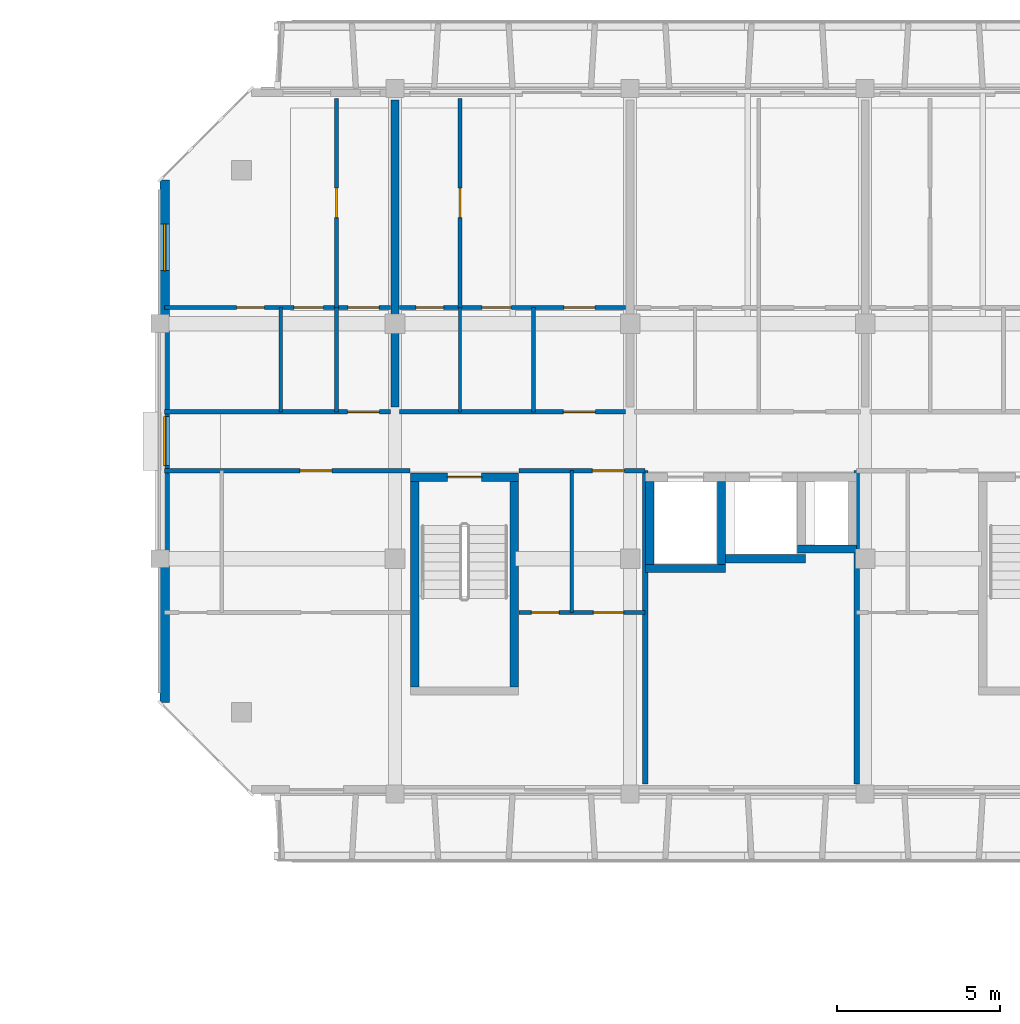
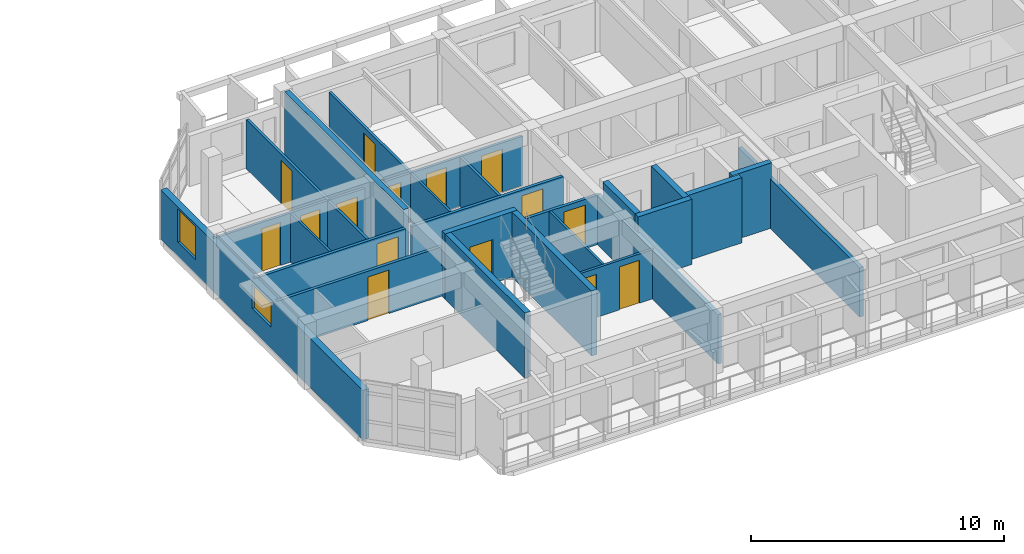
# One storey, part 33 of 51: 26 walls, 15 doors, 2 windows, 17 openings.
"""IFC4 building model written with IfcOpenShell, lengths in metres."""

from ifc_helpers import new_model, si_unit, direction, frame, frame_2d, origin, place, context, subcontext, project, spatial, rectangle, extrude, material, layer, layer_set, type_object, element, fill, save


model = new_model("IFC4")

# Units and contexts
model_context = context("Model", 3, precision=1e-05, world=origin(), true_north=direction((0.0, 1.0)))
body_context = subcontext(model_context, "Body", "Model", "MODEL_VIEW")
ifc_project = project(units=[si_unit("LENGTHUNIT", "METRE"), si_unit("AREAUNIT", "SQUARE_METRE"), si_unit("VOLUMEUNIT", "CUBIC_METRE"), si_unit("PLANEANGLEUNIT", "RADIAN"), si_unit("MASSUNIT", "GRAM", prefix="KILO")], contexts=[model_context])

# Site, building, storey
site_placement = place(None, origin())
site = spatial("IfcSite", under=ifc_project, at=site_placement, CompositionType="ELEMENT")
building_placement = place(site_placement, origin())
building = spatial("IfcBuilding", under=site, at=building_placement, Name="Ochrevale Crest", CompositionType="ELEMENT")
storey_placement = place(building_placement, frame((0.0, 0.0, 11.85009765625)))
storey = spatial("IfcBuildingStorey", under=building, at=storey_placement, Name="L03", CompositionType="ELEMENT", Elevation=11.85009765625)

# Wall, opening, door
ifc_material_1 = material(Name="Gypsum plasterboard", Category="gypsum")
ifc_layer_1 = layer(ifc_material_1, 0.139892578125)
ifc_layer_set_1 = layer_set([ifc_layer_1], Name="Gypsum plasterboard")
wall_type_1 = type_object("IfcWallType", Name="WL-COR-140", PredefinedType="PARTITIONING", material=ifc_layer_set_1)
wall_1_placement = place(storey_placement, frame((129.739990234375, 83.699951171875, 0.0), z_axis=(0.0, 0.0, 1.0), x_axis=(1.0, 0.0, 0.0)))
wall_1 = element("IfcWall", 1, at=wall_1_placement, inside=storey, type_object=wall_type_1, Name="Apartment D-L03-U1 corridor wall", PredefinedType="PARTITIONING", context=body_context, shape_type="SweptSolid", body=[
    extrude(rectangle(XDim=6.919921875, YDim=0.139892578125, at=frame_2d((3.4599609375, 0.0))), origin(), (0.0, 0.0, 1.0), 2.3798828125),
])
opening_1_placement = place(wall_1_placement, frame((6.5849609375, 0.0, 0.0), z_axis=(0.0, 0.0, 1.0), x_axis=(-1.0, 0.0, 0.0)))
opening_1 = element("IfcOpeningElement", 2, at=opening_1_placement, cuts=wall_1, Name="Opening FD01", PredefinedType="OPENING", context=body_context, shape_type="SweptSolid", body=[
    extrude(rectangle(XDim=0.97998046875, YDim=2.10009765625, at=frame_2d((0.489990234375, 1.050048828125))), frame((0.0, 0.080078125, 0.0), z_axis=(0.0, -1.0, 0.0), x_axis=(1.0, 0.0, 0.0)), (0.0, 0.0, 1.0), 0.159912109375),
])
ifc_material_2 = material(Name="Solid-core FSC hardwood", Category="wood")
door_type_1 = type_object("IfcDoorType", Name="DR-APT-950", OperationType="NOTDEFINED", PredefinedType="DOOR", material=ifc_material_2)
door_1_placement = place(opening_1_placement, origin())
door_1 = element("IfcDoor", 3, at=door_1_placement, inside=storey, type_object=door_type_1, Name="Apartment D-L03-U1 entrance door", OperationType="SINGLE_SWING_RIGHT", OverallHeight=2.10009765625, OverallWidth=0.97998046875, PredefinedType="DOOR", context=body_context, shape_type="SweptSolid", body=[
    extrude(rectangle(XDim=0.97998046875, YDim=2.10009765625, at=frame_2d((0.489990234375, 1.050048828125))), frame((0.0, 0.02490234375, 0.0), z_axis=(0.0, -1.0, 0.0), x_axis=(1.0, 0.0, 0.0)), (0.0, 0.0, 1.0), 0.050048828125),
])
fill(opening_1, door_1)

wall_2_placement = place(storey_placement, frame((136.93994140625, 83.699951171875, 0.0), z_axis=(0.0, 0.0, 1.0), x_axis=(1.0, 0.0, 0.0)))
wall_2 = element("IfcWall", 4, at=wall_2_placement, inside=storey, type_object=wall_type_1, Name="Apartment D-L03-U2 corridor wall", PredefinedType="PARTITIONING", context=body_context, shape_type="SweptSolid", body=[
    extrude(rectangle(XDim=6.920166015625, YDim=0.139892578125, at=frame_2d((3.4599609375, 0.0))), origin(), (0.0, 0.0, 1.0), 2.3798828125),
])
opening_2_placement = place(wall_2_placement, frame((5.02001953125, 0.0, 0.0)))
opening_2 = element("IfcOpeningElement", 5, at=opening_2_placement, cuts=wall_2, Name="Opening FD01", PredefinedType="OPENING", context=body_context, shape_type="SweptSolid", body=[
    extrude(rectangle(XDim=0.97998046875, YDim=2.10009765625, at=frame_2d((0.489990234375, 1.050048828125))), frame((0.0, 0.080078125, 0.0), z_axis=(0.0, -1.0, 0.0), x_axis=(1.0, 0.0, 0.0)), (0.0, 0.0, 1.0), 0.159912109375),
])
door_2_placement = place(opening_2_placement, origin())
door_2 = element("IfcDoor", 6, at=door_2_placement, inside=storey, type_object=door_type_1, Name="Apartment D-L03-U2 entrance door", OperationType="SINGLE_SWING_LEFT", OverallHeight=2.10009765625, OverallWidth=0.97998046875, PredefinedType="DOOR", context=body_context, shape_type="SweptSolid", body=[
    extrude(rectangle(XDim=0.97998046875, YDim=2.10009765625, at=frame_2d((0.489990234375, 1.050048828125))), frame((0.0, 0.02490234375, 0.0), z_axis=(0.0, -1.0, 0.0), x_axis=(1.0, 0.0, 0.0)), (0.0, 0.0, 1.0), 0.050048828125),
])
fill(opening_2, door_2)

wall_3_placement = place(storey_placement, frame((129.739990234375, 81.89990234375, 0.0), z_axis=(0.0, 0.0, 1.0), x_axis=(1.0, 0.0, 0.0)))
wall_3 = element("IfcWall", 7, at=wall_3_placement, inside=storey, type_object=wall_type_1, Name="Suite D-L03-CW corridor wall", PredefinedType="PARTITIONING", context=body_context, shape_type="SweptSolid", body=[
    extrude(rectangle(XDim=7.52001953125, YDim=0.139892578125, at=frame_2d((3.760009765625, 0.0))), origin(), (0.0, 0.0, 1.0), 2.3798828125),
])
opening_3_placement = place(wall_3_placement, frame((4.14501953125, 0.0, 0.0)))
opening_3 = element("IfcOpeningElement", 8, at=opening_3_placement, cuts=wall_3, Name="Opening FD01", PredefinedType="OPENING", context=body_context, shape_type="SweptSolid", body=[
    extrude(rectangle(XDim=0.97998046875, YDim=2.10009765625, at=frame_2d((0.489990234375, 1.050048828125))), frame((0.0, 0.080078125, 0.0), z_axis=(0.0, -1.0, 0.0), x_axis=(1.0, 0.0, 0.0)), (0.0, 0.0, 1.0), 0.159912109375),
])
door_3_placement = place(opening_3_placement, origin())
door_3 = element("IfcDoor", 9, at=door_3_placement, inside=storey, type_object=door_type_1, Name="Suite D-L03-CW entrance door", OperationType="SINGLE_SWING_LEFT", OverallHeight=2.10009765625, OverallWidth=0.97998046875, PredefinedType="DOOR", context=body_context, shape_type="SweptSolid", body=[
    extrude(rectangle(XDim=0.97998046875, YDim=2.10009765625, at=frame_2d((0.489990234375, 1.050048828125))), frame((0.0, 0.02490234375, 0.0), z_axis=(0.0, -1.0, 0.0), x_axis=(1.0, 0.0, 0.0)), (0.0, 0.0, 1.0), 0.050048828125),
])
fill(opening_3, door_3)

wall_4_placement = place(storey_placement, frame((140.590087890625, 81.89990234375, 0.0), z_axis=(0.0, 0.0, 1.0), x_axis=(1.0, 0.0, 0.0)))
wall_4 = element("IfcWall", 10, at=wall_4_placement, inside=storey, type_object=wall_type_1, Name="Suite D-L03-MW corridor wall", PredefinedType="PARTITIONING", context=body_context, shape_type="SweptSolid", body=[
    extrude(rectangle(XDim=3.869873046875, YDim=0.139892578125, at=frame_2d((1.93505859375, 0.0))), origin(), (0.0, 0.0, 1.0), 2.3798828125),
])
opening_4_placement = place(wall_4_placement, frame((3.23779296875, 0.0, 0.0), z_axis=(0.0, 0.0, 1.0), x_axis=(-1.0, 0.0, 0.0)))
opening_4 = element("IfcOpeningElement", 11, at=opening_4_placement, cuts=wall_4, Name="Opening FD01", PredefinedType="OPENING", context=body_context, shape_type="SweptSolid", body=[
    extrude(rectangle(XDim=0.97998046875, YDim=2.10009765625, at=frame_2d((0.489990234375, 1.050048828125))), frame((0.0, 0.080078125, 0.0), z_axis=(0.0, -1.0, 0.0), x_axis=(1.0, 0.0, 0.0)), (0.0, 0.0, 1.0), 0.159912109375),
])
door_4_placement = place(opening_4_placement, origin())
door_4 = element("IfcDoor", 12, at=door_4_placement, inside=storey, type_object=door_type_1, Name="Suite D-L03-MW entrance door", OperationType="SINGLE_SWING_RIGHT", OverallHeight=2.10009765625, OverallWidth=0.97998046875, PredefinedType="DOOR", context=body_context, shape_type="SweptSolid", body=[
    extrude(rectangle(XDim=0.97998046875, YDim=2.10009765625, at=frame_2d((0.489990234375, 1.050048828125))), frame((0.0, 0.02490234375, 0.0), z_axis=(0.0, -1.0, 0.0), x_axis=(1.0, 0.0, 0.0)), (0.0, 0.0, 1.0), 0.050048828125),
])
fill(opening_4, door_4)

ifc_material_3 = material(Name="Precast concrete C50/60", Category="concrete")
ifc_layer_2 = layer(ifc_material_3, 0.2548828125)
ifc_layer_set_2 = layer_set([ifc_layer_2], Name="Precast concrete C50/60")
wall_type_2 = type_object("IfcWallType", Name="WL-CORE-255", PredefinedType="SHEAR", material=ifc_layer_set_2)
wall_5_placement = place(storey_placement, frame((137.2724609375, 81.699951171875, 0.0), z_axis=(0.0, 0.0, 1.0), x_axis=(1.0, 0.0, 0.0)))
wall_5 = element("IfcWall", 13, at=wall_5_placement, inside=storey, type_object=wall_type_2, Name="Block D L03 Stair 1 precast core shear wall N", PredefinedType="SHEAR", context=body_context, shape_type="SweptSolid", body=[
    extrude(rectangle(XDim=3.304931640625, YDim=0.2548828125, at=frame_2d((1.65234375, 0.0))), origin(), (0.0, 0.0, 1.0), 3.14990234375),
])
opening_5_placement = place(wall_5_placement, frame((2.177490234375, 0.0, 0.0), z_axis=(0.0, 0.0, 1.0), x_axis=(-1.0, 0.0, 0.0)))
opening_5 = element("IfcOpeningElement", 14, at=opening_5_placement, cuts=wall_5, Name="Opening FD03", PredefinedType="OPENING", context=body_context, shape_type="SweptSolid", body=[
    extrude(rectangle(XDim=1.050048828125, YDim=2.1201171875, at=frame_2d((0.52490234375, 1.06005859375))), frame((0.0, 0.137451171875, 0.0), z_axis=(0.0, -1.0, 0.0), x_axis=(1.0, 0.0, 0.0)), (0.0, 0.0, 1.0), 0.27490234375),
])
door_type_2 = type_object("IfcDoorType", Name="DR-ST-1050", OperationType="NOTDEFINED", PredefinedType="DOOR", material=ifc_material_2)
door_5_placement = place(opening_5_placement, origin())
door_5 = element("IfcDoor", 15, at=door_5_placement, inside=storey, type_object=door_type_2, Name="Block D L03 fire stair 1 door", OperationType="SINGLE_SWING_RIGHT", OverallHeight=2.1201171875, OverallWidth=1.050048828125, PredefinedType="DOOR", context=body_context, shape_type="SweptSolid", body=[
    extrude(rectangle(XDim=1.050048828125, YDim=2.1201171875, at=frame_2d((0.52490234375, 1.06005859375))), frame((0.0, 0.02490234375, 0.0), z_axis=(0.0, -1.0, 0.0), x_axis=(1.0, 0.0, 0.0)), (0.0, 0.0, 1.0), 0.050048828125),
])
fill(opening_5, door_5)

# Walls
for number, where, z_axis, x_axis, name in (
    (16, (137.39990234375, 75.277587890625, 0.0), (0.0, 0.0, 1.0), (0.0, 1.0, 0.0), "Block D L03 Stair 1 precast core shear wall W"),
    (17, (140.449951171875, 75.277587890625, 0.0), (0.0, 0.0, 1.0), (0.0, 1.0, 0.0), "Block D L03 Stair 1 precast core shear wall E"),
):
    element("IfcWall", number, at=place(storey_placement, frame(where, z_axis=z_axis, x_axis=x_axis)), inside=storey, type_object=wall_type_2, Name=name, PredefinedType="SHEAR", context=body_context, shape_type="SweptSolid", body=[
        extrude(rectangle(XDim=6.294921875, YDim=0.2548828125, at=frame_2d((3.1474609375, 0.0))), origin(), (0.0, 0.0, 1.0), 3.14990234375),
    ])
wall_6_placement = place(storey_placement, frame((144.472412109375, 78.89990234375, 0.0), z_axis=(0.0, 0.0, 1.0), x_axis=(1.0, 0.0, 0.0)))
element("IfcWall", 18, at=wall_6_placement, inside=storey, type_object=wall_type_2, Name="Block D L03 Lift 1 precast shaft shear wall S", PredefinedType="SHEAR", context=body_context, shape_type="SweptSolid", body=[
    extrude(rectangle(XDim=2.455078125, YDim=0.2548828125, at=frame_2d((1.2275390625, 0.0))), origin(), (0.0, 0.0, 1.0), 3.14990234375),
])
for number, where, z_axis, x_axis, name in (
    (19, (144.60009765625, 79.027587890625, 0.0), (0.0, 0.0, 1.0), (0.0, 1.0, 0.0), "Block D L03 Lift 1 precast shaft shear wall W"),
    (20, (146.800048828125, 79.027587890625, 0.0), (0.0, 0.0, 1.0), (0.0, 1.0, 0.0), "Block D L03 Lift 1 precast shaft shear wall E"),
):
    element("IfcWall", number, at=place(storey_placement, frame(where, z_axis=z_axis, x_axis=x_axis)), inside=storey, type_object=wall_type_2, Name=name, PredefinedType="SHEAR", context=body_context, shape_type="SweptSolid", body=[
        extrude(rectangle(XDim=2.544921875, YDim=0.2548828125, at=frame_2d((1.2724609375, 0.0))), origin(), (0.0, 0.0, 1.0), 3.14990234375),
    ])
wall_7_placement = place(storey_placement, frame((146.922607421875, 79.199951171875, 0.0), z_axis=(0.0, 0.0, 1.0), x_axis=(1.0, 0.0, 0.0)))
element("IfcWall", 21, at=wall_7_placement, inside=storey, type_object=wall_type_2, Name="Block D L03 Lift 2 precast shaft shear wall S", PredefinedType="SHEAR", context=body_context, shape_type="SweptSolid", body=[
    extrude(rectangle(XDim=2.454833984375, YDim=0.2548828125, at=frame_2d((1.2275390625, 0.0))), origin(), (0.0, 0.0, 1.0), 3.14990234375),
])
wall_8_placement = place(storey_placement, frame((149.12255859375, 79.5, 0.0), z_axis=(0.0, 0.0, 1.0), x_axis=(1.0, 0.0, 0.0)))
element("IfcWall", 22, at=wall_8_placement, inside=storey, type_object=wall_type_2, Name="Block D L03 services riser shaft core wall S", PredefinedType="SHEAR", context=body_context, shape_type="SweptSolid", body=[
    extrude(rectangle(XDim=1.804931640625, YDim=0.2548828125, at=frame_2d((0.90234375, 0.0))), origin(), (0.0, 0.0, 1.0), 3.14990234375),
])

# Wall, openings, windows
ifc_material_4 = material(Name="Clay face brickwork", Category="masonry")
ifc_layer_3 = layer(ifc_material_4, 0.2900390625)
ifc_layer_set_3 = layer_set([ifc_layer_3], Name="Clay face brickwork")
wall_type_3 = type_object("IfcWallType", Name="WL-EXT-BRICK-290", PredefinedType="SOLIDWALL", material=ifc_layer_set_3)
wall_9_placement = place(storey_placement, frame((129.7451171875, 90.800048828125, 0.0), z_axis=(0.0, 0.0, 1.0), x_axis=(0.0, -1.0, 0.0)))
wall_9 = element("IfcWall", 23, at=wall_9_placement, inside=storey, type_object=wall_type_3, Name="Block D L03 external facade wall E7", PredefinedType="SOLIDWALL", context=body_context, shape_type="SweptSolid", body=[
    extrude(rectangle(XDim=16.0, YDim=0.2900390625, at=frame_2d((8.0, 0.0))), origin(), (0.0, 0.0, 1.0), 2.3798828125),
])
opening_6_placement = place(wall_9_placement, frame((7.25, 0.0, 1.050048828125)))
opening_6 = element("IfcOpeningElement", 24, at=opening_6_placement, cuts=wall_9, Name="Opening W18", PredefinedType="OPENING", context=body_context, shape_type="SweptSolid", body=[
    extrude(rectangle(XDim=1.5, YDim=1.14990234375, at=frame_2d((0.75, 0.574951171875))), frame((0.0, 0.155029296875, 0.0), z_axis=(0.0, -1.0, 0.0), x_axis=(1.0, 0.0, 0.0)), (0.0, 0.0, 1.0), 0.31005859375),
])
opening_7_placement = place(wall_9_placement, frame((1.35498046875, 0.0, 0.669921875)))
opening_7 = element("IfcOpeningElement", 25, at=opening_7_placement, cuts=wall_9, Name="Opening W31", PredefinedType="OPENING", context=body_context, shape_type="SweptSolid", body=[
    extrude(rectangle(XDim=1.419921875, YDim=1.60009765625, at=frame_2d((0.7099609375, 0.800048828125))), frame((0.0, 0.155029296875, 0.0), z_axis=(0.0, -1.0, 0.0), x_axis=(1.0, 0.0, 0.0)), (0.0, 0.0, 1.0), 0.31005859375),
])
ifc_material_5 = material(Name="Anodised aluminium 6063-T5 and low-E double glazing", Category="aluminium")
window_type_1 = type_object("IfcWindowType", Name="WIN-W18", PartitioningType="SINGLE_PANEL", PredefinedType="WINDOW", material=ifc_material_5)
window_1_placement = place(opening_6_placement, origin())
window_1 = element("IfcWindow", 26, at=window_1_placement, inside=storey, type_object=window_type_1, Name="Block D L03 corridor end daylight window W", OverallHeight=1.14990234375, OverallWidth=1.5, PartitioningType="SINGLE_PANEL", PredefinedType="WINDOW", context=body_context, shape_type="SweptSolid", body=[
    extrude(rectangle(XDim=1.5, YDim=1.14990234375, at=frame_2d((0.75, 0.574951171875))), frame((0.0, 0.030029296875, 0.0), z_axis=(0.0, -1.0, 0.0), x_axis=(1.0, 0.0, 0.0)), (0.0, 0.0, 1.0), 0.06005859375),
])
fill(opening_6, window_1)
window_type_2 = type_object("IfcWindowType", Name="WIN-W31", PartitioningType="SINGLE_PANEL", PredefinedType="WINDOW", material=ifc_material_5)
window_2_placement = place(opening_7_placement, origin())
window_2 = element("IfcWindow", 27, at=window_2_placement, inside=storey, type_object=window_type_2, Name="Block D L03 side suite window W", OverallHeight=1.60009765625, OverallWidth=1.419921875, PartitioningType="SINGLE_PANEL", PredefinedType="WINDOW", context=body_context, shape_type="SweptSolid", body=[
    extrude(rectangle(XDim=1.419921875, YDim=1.60009765625, at=frame_2d((0.7099609375, 0.800048828125))), frame((0.0, 0.030029296875, 0.0), z_axis=(0.0, -1.0, 0.0), x_axis=(1.0, 0.0, 0.0)), (0.0, 0.0, 1.0), 0.06005859375),
])
fill(opening_7, window_2)

# Wall
ifc_layer_4 = layer(ifc_material_1, 0.1201171875)
ifc_layer_set_4 = layer_set([ifc_layer_4], Name="Gypsum plasterboard")
wall_type_4 = type_object("IfcWallType", Name="WL-PART-120", PredefinedType="PARTITIONING", material=ifc_layer_set_4)
wall_10_placement = place(storey_placement, frame((135.010009765625, 83.699951171875, 0.0), z_axis=(0.0, 0.0, 1.0), x_axis=(0.0, 1.0, 0.0)))
element("IfcWall", 28, at=wall_10_placement, inside=storey, type_object=wall_type_4, Name="Apartment D-L03-U1 kitchen-foyer wall", PredefinedType="PARTITIONING", context=body_context, shape_type="SweptSolid", body=[
    extrude(rectangle(XDim=3.199951171875, YDim=0.1201171875, at=frame_2d((1.60009765625, 0.0))), origin(), (0.0, 0.0, 1.0), 2.375),
])

# Wall, openings, doors
wall_11_placement = place(storey_placement, frame((129.739990234375, 86.89990234375, 0.0), z_axis=(0.0, 0.0, 1.0), x_axis=(1.0, 0.0, 0.0)))
wall_11 = element("IfcWall", 29, at=wall_11_placement, inside=storey, type_object=wall_type_4, Name="Apartment D-L03-U1 central partition", PredefinedType="PARTITIONING", context=body_context, shape_type="SweptSolid", body=[
    extrude(rectangle(XDim=6.919921875, YDim=0.1201171875, at=frame_2d((3.4599609375, 0.0))), origin(), (0.0, 0.0, 1.0), 2.3798828125),
])
opening_8_placement = place(wall_11_placement, frame((2.2099609375, 0.0, 0.0)))
opening_8 = element("IfcOpeningElement", 30, at=opening_8_placement, cuts=wall_11, Name="Opening ID01", PredefinedType="OPENING", context=body_context, shape_type="SweptSolid", body=[
    extrude(rectangle(XDim=0.85009765625, YDim=2.080078125, at=frame_2d((0.425048828125, 1.0400390625))), frame((0.0, 0.070068359375, 0.0), z_axis=(0.0, -1.0, 0.0), x_axis=(1.0, 0.0, 0.0)), (0.0, 0.0, 1.0), 0.14013671875),
])
opening_9_placement = place(wall_11_placement, frame((4.864990234375, 0.0, 0.0), z_axis=(0.0, 0.0, 1.0), x_axis=(-1.0, 0.0, 0.0)))
opening_9 = element("IfcOpeningElement", 31, at=opening_9_placement, cuts=wall_11, Name="Opening ID02", PredefinedType="OPENING", context=body_context, shape_type="SweptSolid", body=[
    extrude(rectangle(XDim=0.89990234375, YDim=2.080078125, at=frame_2d((0.449951171875, 1.0400390625))), frame((0.0, 0.070068359375, 0.0), z_axis=(0.0, -1.0, 0.0), x_axis=(1.0, 0.0, 0.0)), (0.0, 0.0, 1.0), 0.14013671875),
])
opening_10_placement = place(wall_11_placement, frame((5.6201171875, 0.0, 0.0)))
opening_10 = element("IfcOpeningElement", 32, at=opening_10_placement, cuts=wall_11, Name="Opening ID06", PredefinedType="OPENING", context=body_context, shape_type="SweptSolid", body=[
    extrude(rectangle(XDim=0.949951171875, YDim=2.080078125, at=frame_2d((0.47509765625, 1.0400390625))), frame((0.0, 0.070068359375, 0.0), z_axis=(0.0, -1.0, 0.0), x_axis=(1.0, 0.0, 0.0)), (0.0, 0.0, 1.0), 0.14013671875),
])
door_type_3 = type_object("IfcDoorType", Name="DR-INT-900", OperationType="NOTDEFINED", PredefinedType="DOOR", material=ifc_material_2)
door_6_placement = place(opening_9_placement, origin())
door_6 = element("IfcDoor", 33, at=door_6_placement, inside=storey, type_object=door_type_3, Name="Apartment D-L03-U1 Kitchen door", OperationType="SINGLE_SWING_RIGHT", OverallHeight=2.080078125, OverallWidth=0.89990234375, PredefinedType="DOOR", context=body_context, shape_type="SweptSolid", body=[
    extrude(rectangle(XDim=0.89990234375, YDim=2.080078125, at=frame_2d((0.449951171875, 1.0400390625))), frame((0.0, 0.02490234375, 0.0), z_axis=(0.0, -1.0, 0.0), x_axis=(1.0, 0.0, 0.0)), (0.0, 0.0, 1.0), 0.050048828125),
])
fill(opening_9, door_6)
door_type_4 = type_object("IfcDoorType", Name="DR-INT-950", OperationType="NOTDEFINED", PredefinedType="DOOR", material=ifc_material_2)
door_7_placement = place(opening_10_placement, origin())
door_7 = element("IfcDoor", 34, at=door_7_placement, inside=storey, type_object=door_type_4, Name="Apartment D-L03-U1 Living Foyer door", OperationType="SINGLE_SWING_LEFT", OverallHeight=2.080078125, OverallWidth=0.949951171875, PredefinedType="DOOR", context=body_context, shape_type="SweptSolid", body=[
    extrude(rectangle(XDim=0.949951171875, YDim=2.080078125, at=frame_2d((0.47509765625, 1.0400390625))), frame((0.0, 0.02490234375, 0.0), z_axis=(0.0, -1.0, 0.0), x_axis=(1.0, 0.0, 0.0)), (0.0, 0.0, 1.0), 0.050048828125),
])
fill(opening_10, door_7)
door_type_5 = type_object("IfcDoorType", Name="DR-WC-850", OperationType="NOTDEFINED", PredefinedType="DOOR", material=ifc_material_2)
door_8_placement = place(opening_8_placement, origin())
door_8 = element("IfcDoor", 35, at=door_8_placement, inside=storey, type_object=door_type_5, Name="Apartment D-L03-U1 Bathroom door", OperationType="SINGLE_SWING_LEFT", OverallHeight=2.080078125, OverallWidth=0.85009765625, PredefinedType="DOOR", context=body_context, shape_type="SweptSolid", body=[
    extrude(rectangle(XDim=0.85009765625, YDim=2.080078125, at=frame_2d((0.425048828125, 1.0400390625))), frame((0.0, 0.02490234375, 0.0), z_axis=(0.0, -1.0, 0.0), x_axis=(1.0, 0.0, 0.0)), (0.0, 0.0, 1.0), 0.050048828125),
])
fill(opening_8, door_8)

# Wall, opening, door
wall_12_placement = place(storey_placement, frame((135.010009765625, 86.89990234375, 0.0), z_axis=(0.0, 0.0, 1.0), x_axis=(0.0, 1.0, 0.0)))
wall_12 = element("IfcWall", 36, at=wall_12_placement, inside=storey, type_object=wall_type_4, Name="Apartment D-L03-U1 bedroom partition", PredefinedType="PARTITIONING", context=body_context, shape_type="SweptSolid", body=[
    extrude(rectangle(XDim=6.400146484375, YDim=0.1201171875, at=frame_2d((3.2001953125, 0.0))), origin(), (0.0, 0.0, 1.0), 2.3798828125),
])
opening_11_placement = place(wall_12_placement, frame((3.64990234375, 0.0, 0.0), z_axis=(0.0, 0.0, 1.0), x_axis=(-1.0, 0.0, 0.0)))
opening_11 = element("IfcOpeningElement", 37, at=opening_11_placement, cuts=wall_12, Name="Opening ID02", PredefinedType="OPENING", context=body_context, shape_type="SweptSolid", body=[
    extrude(rectangle(XDim=0.89990234375, YDim=2.080078125, at=frame_2d((0.449951171875, 1.0400390625))), frame((0.0, 0.070068359375, 0.0), z_axis=(0.0, -1.0, 0.0), x_axis=(1.0, 0.0, 0.0)), (0.0, 0.0, 1.0), 0.14013671875),
])
door_9_placement = place(opening_11_placement, origin())
door_9 = element("IfcDoor", 38, at=door_9_placement, inside=storey, type_object=door_type_3, Name="Apartment D-L03-U1 Master Bedroom door", OperationType="SINGLE_SWING_RIGHT", OverallHeight=2.080078125, OverallWidth=0.89990234375, PredefinedType="DOOR", context=body_context, shape_type="SweptSolid", body=[
    extrude(rectangle(XDim=0.89990234375, YDim=2.080078125, at=frame_2d((0.449951171875, 1.0400390625))), frame((0.0, 0.02490234375, 0.0), z_axis=(0.0, -1.0, 0.0), x_axis=(1.0, 0.0, 0.0)), (0.0, 0.0, 1.0), 0.050048828125),
])
fill(opening_11, door_9)

# Wall
wall_13_placement = place(storey_placement, frame((141.0400390625, 83.699951171875, 0.0), z_axis=(0.0, 0.0, 1.0), x_axis=(0.0, 1.0, 0.0)))
element("IfcWall", 39, at=wall_13_placement, inside=storey, type_object=wall_type_4, Name="Apartment D-L03-U2 kitchen-foyer wall", PredefinedType="PARTITIONING", context=body_context, shape_type="SweptSolid", body=[
    extrude(rectangle(XDim=3.199951171875, YDim=0.1201171875, at=frame_2d((1.60009765625, 0.0))), origin(), (0.0, 0.0, 1.0), 2.375),
])

# Wall, openings, doors
wall_14_placement = place(storey_placement, frame((136.93994140625, 86.89990234375, 0.0), z_axis=(0.0, 0.0, 1.0), x_axis=(1.0, 0.0, 0.0)))
wall_14 = element("IfcWall", 40, at=wall_14_placement, inside=storey, type_object=wall_type_4, Name="Apartment D-L03-U2 central partition", PredefinedType="PARTITIONING", context=body_context, shape_type="SweptSolid", body=[
    extrude(rectangle(XDim=6.920166015625, YDim=0.1201171875, at=frame_2d((3.4599609375, 0.0))), origin(), (0.0, 0.0, 1.0), 2.3798828125),
])
opening_12_placement = place(wall_14_placement, frame((1.35009765625, 0.0, 0.0), z_axis=(0.0, 0.0, 1.0), x_axis=(-1.0, 0.0, 0.0)))
opening_12 = element("IfcOpeningElement", 41, at=opening_12_placement, cuts=wall_14, Name="Opening ID01", PredefinedType="OPENING", context=body_context, shape_type="SweptSolid", body=[
    extrude(rectangle(XDim=0.85009765625, YDim=2.080078125, at=frame_2d((0.425048828125, 1.0400390625))), frame((0.0, 0.070068359375, 0.0), z_axis=(0.0, -1.0, 0.0), x_axis=(1.0, 0.0, 0.0)), (0.0, 0.0, 1.0), 0.14013671875),
])
opening_13_placement = place(wall_14_placement, frame((2.52490234375, 0.0, 0.0)))
opening_13 = element("IfcOpeningElement", 42, at=opening_13_placement, cuts=wall_14, Name="Opening ID02", PredefinedType="OPENING", context=body_context, shape_type="SweptSolid", body=[
    extrude(rectangle(XDim=0.89990234375, YDim=2.080078125, at=frame_2d((0.449951171875, 1.0400390625))), frame((0.0, 0.070068359375, 0.0), z_axis=(0.0, -1.0, 0.0), x_axis=(1.0, 0.0, 0.0)), (0.0, 0.0, 1.0), 0.14013671875),
])
opening_14_placement = place(wall_14_placement, frame((5.98486328125, 0.0, 0.0), z_axis=(0.0, 0.0, 1.0), x_axis=(-1.0, 0.0, 0.0)))
opening_14 = element("IfcOpeningElement", 43, at=opening_14_placement, cuts=wall_14, Name="Opening ID06", PredefinedType="OPENING", context=body_context, shape_type="SweptSolid", body=[
    extrude(rectangle(XDim=0.949951171875, YDim=2.080078125, at=frame_2d((0.47509765625, 1.0400390625))), frame((0.0, 0.070068359375, 0.0), z_axis=(0.0, -1.0, 0.0), x_axis=(1.0, 0.0, 0.0)), (0.0, 0.0, 1.0), 0.14013671875),
])
door_10_placement = place(opening_13_placement, origin())
door_10 = element("IfcDoor", 44, at=door_10_placement, inside=storey, type_object=door_type_3, Name="Apartment D-L03-U2 Kitchen door", OperationType="SINGLE_SWING_LEFT", OverallHeight=2.080078125, OverallWidth=0.89990234375, PredefinedType="DOOR", context=body_context, shape_type="SweptSolid", body=[
    extrude(rectangle(XDim=0.89990234375, YDim=2.080078125, at=frame_2d((0.449951171875, 1.0400390625))), frame((0.0, 0.02490234375, 0.0), z_axis=(0.0, -1.0, 0.0), x_axis=(1.0, 0.0, 0.0)), (0.0, 0.0, 1.0), 0.050048828125),
])
fill(opening_13, door_10)
door_11_placement = place(opening_14_placement, origin())
door_11 = element("IfcDoor", 45, at=door_11_placement, inside=storey, type_object=door_type_4, Name="Apartment D-L03-U2 Living Foyer door", OperationType="SINGLE_SWING_RIGHT", OverallHeight=2.080078125, OverallWidth=0.949951171875, PredefinedType="DOOR", context=body_context, shape_type="SweptSolid", body=[
    extrude(rectangle(XDim=0.949951171875, YDim=2.080078125, at=frame_2d((0.47509765625, 1.0400390625))), frame((0.0, 0.02490234375, 0.0), z_axis=(0.0, -1.0, 0.0), x_axis=(1.0, 0.0, 0.0)), (0.0, 0.0, 1.0), 0.050048828125),
])
fill(opening_14, door_11)
door_12_placement = place(opening_12_placement, origin())
door_12 = element("IfcDoor", 46, at=door_12_placement, inside=storey, type_object=door_type_5, Name="Apartment D-L03-U2 Bathroom door", OperationType="SINGLE_SWING_RIGHT", OverallHeight=2.080078125, OverallWidth=0.85009765625, PredefinedType="DOOR", context=body_context, shape_type="SweptSolid", body=[
    extrude(rectangle(XDim=0.85009765625, YDim=2.080078125, at=frame_2d((0.425048828125, 1.0400390625))), frame((0.0, 0.02490234375, 0.0), z_axis=(0.0, -1.0, 0.0), x_axis=(1.0, 0.0, 0.0)), (0.0, 0.0, 1.0), 0.050048828125),
])
fill(opening_12, door_12)

# Wall, opening, door
wall_15_placement = place(storey_placement, frame((138.7900390625, 86.89990234375, 0.0), z_axis=(0.0, 0.0, 1.0), x_axis=(0.0, 1.0, 0.0)))
wall_15 = element("IfcWall", 47, at=wall_15_placement, inside=storey, type_object=wall_type_4, Name="Apartment D-L03-U2 bedroom partition", PredefinedType="PARTITIONING", context=body_context, shape_type="SweptSolid", body=[
    extrude(rectangle(XDim=6.400146484375, YDim=0.1201171875, at=frame_2d((3.2001953125, 0.0))), origin(), (0.0, 0.0, 1.0), 2.3798828125),
])
opening_15_placement = place(wall_15_placement, frame((2.75, 0.0, 0.0)))
opening_15 = element("IfcOpeningElement", 48, at=opening_15_placement, cuts=wall_15, Name="Opening ID02", PredefinedType="OPENING", context=body_context, shape_type="SweptSolid", body=[
    extrude(rectangle(XDim=0.89990234375, YDim=2.080078125, at=frame_2d((0.449951171875, 1.0400390625))), frame((0.0, 0.070068359375, 0.0), z_axis=(0.0, -1.0, 0.0), x_axis=(1.0, 0.0, 0.0)), (0.0, 0.0, 1.0), 0.14013671875),
])
door_13_placement = place(opening_15_placement, origin())
door_13 = element("IfcDoor", 49, at=door_13_placement, inside=storey, type_object=door_type_3, Name="Apartment D-L03-U2 Twin Bedroom door", OperationType="SINGLE_SWING_LEFT", OverallHeight=2.080078125, OverallWidth=0.89990234375, PredefinedType="DOOR", context=body_context, shape_type="SweptSolid", body=[
    extrude(rectangle(XDim=0.89990234375, YDim=2.080078125, at=frame_2d((0.449951171875, 1.0400390625))), frame((0.0, 0.02490234375, 0.0), z_axis=(0.0, -1.0, 0.0), x_axis=(1.0, 0.0, 0.0)), (0.0, 0.0, 1.0), 0.050048828125),
])
fill(opening_15, door_13)

# Wall, openings, doors
wall_16_placement = place(storey_placement, frame((140.590087890625, 77.550048828125, 0.0), z_axis=(0.0, 0.0, 1.0), x_axis=(1.0, 0.0, 0.0)))
wall_16 = element("IfcWall", 50, at=wall_16_placement, inside=storey, type_object=wall_type_4, Name="Suite D-L03-MW internal wall", PredefinedType="PARTITIONING", context=body_context, shape_type="SweptSolid", body=[
    extrude(rectangle(XDim=3.869873046875, YDim=0.1201171875, at=frame_2d((1.93505859375, 0.0))), origin(), (0.0, 0.0, 1.0), 2.3798828125),
])
opening_16_placement = place(wall_16_placement, frame((0.3876953125, 0.0, 0.0)))
opening_16 = element("IfcOpeningElement", 51, at=opening_16_placement, cuts=wall_16, Name="Opening ID01", PredefinedType="OPENING", context=body_context, shape_type="SweptSolid", body=[
    extrude(rectangle(XDim=0.85009765625, YDim=2.080078125, at=frame_2d((0.425048828125, 1.0400390625))), frame((0.0, 0.070068359375, 0.0), z_axis=(0.0, -1.0, 0.0), x_axis=(1.0, 0.0, 0.0)), (0.0, 0.0, 1.0), 0.14013671875),
])
opening_17_placement = place(wall_16_placement, frame((3.20751953125, 0.0, 0.0), z_axis=(0.0, 0.0, 1.0), x_axis=(-1.0, 0.0, 0.0)))
opening_17 = element("IfcOpeningElement", 52, at=opening_17_placement, cuts=wall_16, Name="Opening ID04", PredefinedType="OPENING", context=body_context, shape_type="SweptSolid", body=[
    extrude(rectangle(XDim=0.919921875, YDim=2.080078125, at=frame_2d((0.4599609375, 1.0400390625))), frame((0.0, 0.070068359375, 0.0), z_axis=(0.0, -1.0, 0.0), x_axis=(1.0, 0.0, 0.0)), (0.0, 0.0, 1.0), 0.14013671875),
])
door_type_6 = type_object("IfcDoorType", Name="DR-INT-920", OperationType="NOTDEFINED", PredefinedType="DOOR", material=ifc_material_2)
door_14_placement = place(opening_17_placement, origin())
door_14 = element("IfcDoor", 53, at=door_14_placement, inside=storey, type_object=door_type_6, Name="Suite D-L03-MW Courtyard Studio Living door", OperationType="SINGLE_SWING_RIGHT", OverallHeight=2.080078125, OverallWidth=0.919921875, PredefinedType="DOOR", context=body_context, shape_type="SweptSolid", body=[
    extrude(rectangle(XDim=0.919921875, YDim=2.080078125, at=frame_2d((0.4599609375, 1.0400390625))), frame((0.0, 0.02490234375, 0.0), z_axis=(0.0, -1.0, 0.0), x_axis=(1.0, 0.0, 0.0)), (0.0, 0.0, 1.0), 0.050048828125),
])
fill(opening_17, door_14)
door_15_placement = place(opening_16_placement, origin())
door_15 = element("IfcDoor", 54, at=door_15_placement, inside=storey, type_object=door_type_5, Name="Suite D-L03-MW Bathroom door", OperationType="SINGLE_SWING_LEFT", OverallHeight=2.080078125, OverallWidth=0.85009765625, PredefinedType="DOOR", context=body_context, shape_type="SweptSolid", body=[
    extrude(rectangle(XDim=0.85009765625, YDim=2.080078125, at=frame_2d((0.425048828125, 1.0400390625))), frame((0.0, 0.02490234375, 0.0), z_axis=(0.0, -1.0, 0.0), x_axis=(1.0, 0.0, 0.0)), (0.0, 0.0, 1.0), 0.050048828125),
])
fill(opening_16, door_15)

# Walls
ifc_layer_5 = layer(ifc_material_3, 0.239990234375)
ifc_layer_set_5 = layer_set([ifc_layer_5], Name="Precast concrete C50/60")
wall_type_5 = type_object("IfcWallType", Name="WL-SHEAR-240", PredefinedType="SHEAR", material=ifc_layer_set_5)
wall_17_placement = place(storey_placement, frame((136.800048828125, 83.85009765625, 0.0), z_axis=(0.0, 0.0, 1.0), x_axis=(0.0, 1.0, 0.0)))
element("IfcWall", 55, at=wall_17_placement, inside=storey, type_object=wall_type_5, Name="Block D L03 load-bearing precast cross-wall X=136.8", PredefinedType="SHEAR", context=body_context, shape_type="SweptSolid", body=[
    extrude(rectangle(XDim=9.39990234375, YDim=0.239990234375, at=frame_2d((4.699951171875, 0.0))), origin(), (0.0, 0.0, 1.0), 3.14990234375),
])
ifc_layer_6 = layer(ifc_material_1, 0.169921875)
ifc_layer_set_6 = layer_set([ifc_layer_6], Name="Gypsum plasterboard")
wall_type_6 = type_object("IfcWallType", Name="WL-TEN-170", PredefinedType="PARTITIONING", material=ifc_layer_set_6)
for number, where, z_axis, x_axis, name in (
    (56, (144.4599609375, 72.300048828125, 0.0), (0.0, 0.0, 1.0), (0.0, 1.0, 0.0), "Suite D-L03-MW east party wall"),
    (57, (150.93994140625, 72.300048828125, 0.0), (0.0, 0.0, 1.0), (0.0, 1.0, 0.0), "Suite D-L03-ME west party wall"),
):
    element("IfcWall", number, at=place(storey_placement, frame(where, z_axis=z_axis, x_axis=x_axis)), inside=storey, type_object=wall_type_6, Name=name, PredefinedType="PARTITIONING", context=body_context, shape_type="SweptSolid", body=[
        extrude(rectangle(XDim=9.599853515625, YDim=0.169921875, at=frame_2d((4.7998046875, 0.0))), origin(), (0.0, 0.0, 1.0), 2.3798828125),
    ])
ifc_layer_7 = layer(ifc_material_1, 0.10009765625)
ifc_layer_set_7 = layer_set([ifc_layer_7], Name="Gypsum plasterboard")
wall_type_7 = type_object("IfcWallType", Name="WL-WET-100", PredefinedType="PARTITIONING", material=ifc_layer_set_7)
for number, where, z_axis, x_axis, name in (
    (58, (133.300048828125, 83.699951171875, 0.0), (0.0, 0.0, 1.0), (0.0, 1.0, 0.0), "Apartment D-L03-U1 bath-kitchen wall"),
    (59, (138.7900390625, 83.699951171875, 0.0), (0.0, 0.0, 1.0), (0.0, 1.0, 0.0), "Apartment D-L03-U2 bath-kitchen wall"),
):
    element("IfcWall", number, at=place(storey_placement, frame(where, z_axis=z_axis, x_axis=x_axis)), inside=storey, type_object=wall_type_7, Name=name, PredefinedType="PARTITIONING", context=body_context, shape_type="SweptSolid", body=[
        extrude(rectangle(XDim=3.199951171875, YDim=0.10009765625, at=frame_2d((1.60009765625, 0.0))), origin(), (0.0, 0.0, 1.0), 2.375),
    ])
wall_18_placement = place(storey_placement, frame((142.21533203125, 77.550048828125, 0.0), z_axis=(0.0, 0.0, 1.0), x_axis=(0.0, 1.0, 0.0)))
element("IfcWall", 60, at=wall_18_placement, inside=storey, type_object=wall_type_7, Name="Suite D-L03-MW bathroom divider", PredefinedType="PARTITIONING", context=body_context, shape_type="SweptSolid", body=[
    extrude(rectangle(XDim=4.349853515625, YDim=0.10009765625, at=frame_2d((2.1748046875, 0.0))), origin(), (0.0, 0.0, 1.0), 2.375),
])

save(model, "model.ifc")
